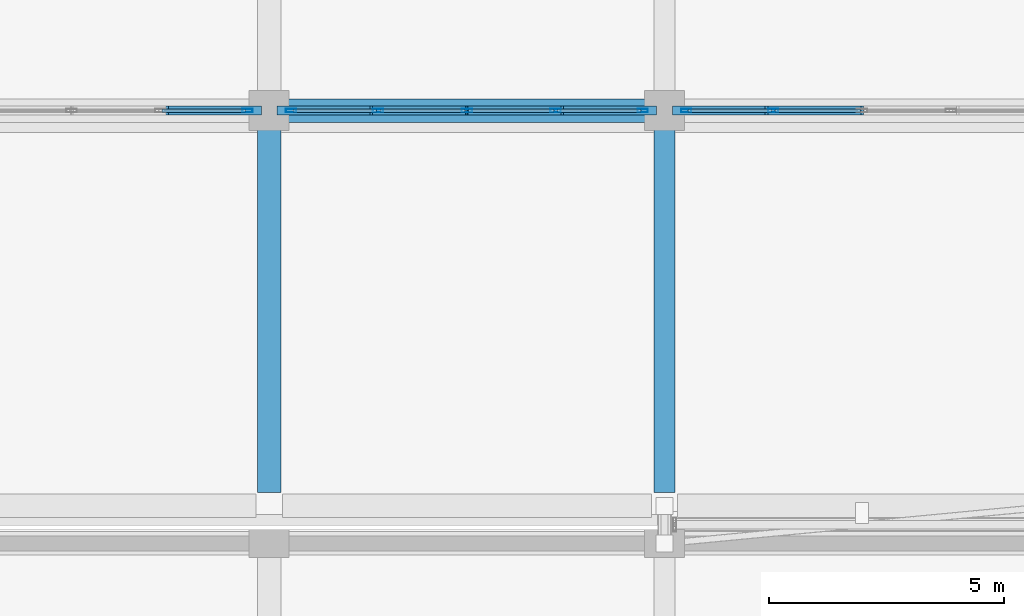
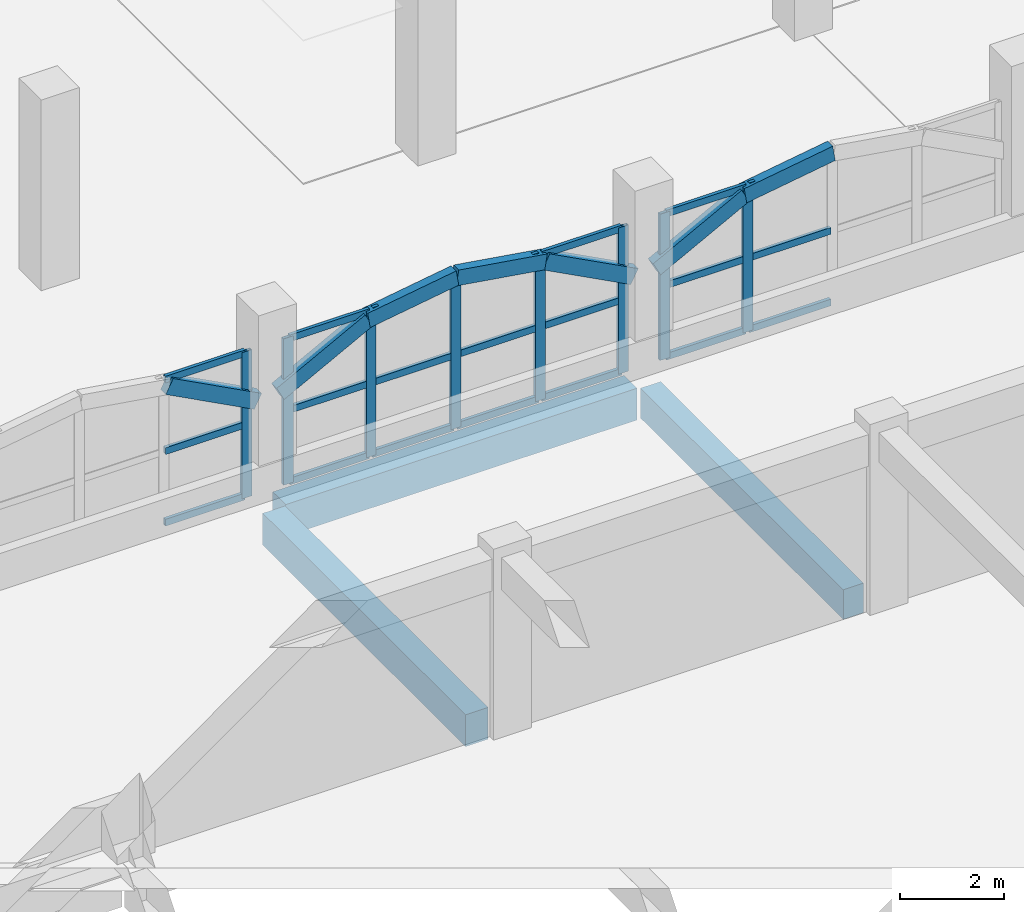
# One storey, part 17 of 129: 36 members, 3 beams, 3 elements without a shape of their own.
"""IFC4 building model written with IfcOpenShell, lengths in metres."""

from ifc_helpers import new_model, si_unit, direction, frame, origin, origin_2d, place, context, subcontext, project, spatial, rectangle, hollow_rectangle, extrude, material, layer, layer_set, material_profile, profile_set, type_object, element, aggregate, save


model = new_model("IFC4")

# Units and contexts
model_context = context("Model", 3, precision=1e-05, world=origin(), true_north=direction((0.0, 1.0)))
body_context = subcontext(model_context, "Body", "Model", "MODEL_VIEW")
ifc_project = project(units=[si_unit("LENGTHUNIT", "METRE"), si_unit("AREAUNIT", "SQUARE_METRE"), si_unit("VOLUMEUNIT", "CUBIC_METRE"), si_unit("PLANEANGLEUNIT", "RADIAN"), si_unit("MASSUNIT", "GRAM", prefix="KILO")], contexts=[model_context])

# Site, building, storey
site_placement = place(None, origin())
site = spatial("IfcSite", under=ifc_project, at=site_placement, CompositionType="ELEMENT")
building_placement = place(site_placement, origin())
building = spatial("IfcBuilding", under=site, at=building_placement, Name="Xazarin Passage Department Store", CompositionType="ELEMENT")
storey_placement = place(building_placement, frame((0.0, 0.0, 9.89990234375)))
storey = spatial("IfcBuildingStorey", under=building, at=storey_placement, Name="L02", CompositionType="ELEMENT", Elevation=9.89990234375)

# Curtain wall, member
ifc_material_1 = material(Name="Bronze anodised aluminium", Category="aluminium")
ifc_layer = layer(ifc_material_1, 0.199951171875)
ifc_layer_set = layer_set([ifc_layer], Name="Bronze anodised aluminium")
curtain_wall_type = type_object("IfcCurtainWallType", Name="ARC-CW-VIT2", PredefinedType="NOTDEFINED", material=ifc_layer_set)
curtain_wall_1_placement = place(storey_placement, origin())
curtain_wall_1 = element("IfcCurtainWall", 1, at=curtain_wall_1_placement, inside=storey, type_object=curtain_wall_type, Name="L02 V1 Curtain Wall 030", PredefinedType="NOTDEFINED")
ifc_material_profile_1 = material_profile(ifc_material_1, hollow_rectangle(XDim=0.074951171875, YDim=0.219970703125, WallThickness=0.0048828125, at=origin_2d()), Name="ALU 75x220")
ifc_profile_set_1 = profile_set([ifc_material_profile_1], Name="Bronze anodised aluminium")
member_type_1 = type_object("IfcMemberType", Name="ARC-CWM-75x220", PredefinedType="MULLION", material=ifc_profile_set_1)
member_1_placement = place(storey_placement, frame((16.33740234375, 59.60009765625, 0.0), z_axis=(0.0, 0.0, 1.0), x_axis=(0.0, 1.0, 0.0)))
member_1 = element("IfcMember", 2, at=member_1_placement, type_object=member_type_1, Name="CW2 mullion 5", PredefinedType="MULLION", context=body_context, shape_type="SweptSolid", body=[
    extrude(hollow_rectangle(XDim=0.074951171875, YDim=0.219970703125, WallThickness=0.0048828125, at=origin_2d()), origin(), (0.0, 0.0, 1.0), 3.4501953125),
])

# Curtain wall, members
curtain_wall_2_placement = place(storey_placement, origin())
curtain_wall_2 = element("IfcCurtainWall", 3, at=curtain_wall_2_placement, inside=storey, type_object=curtain_wall_type, Name="L02 V1 Curtain Wall 031", PredefinedType="NOTDEFINED")
member_2_placement = place(storey_placement, frame((17.262451171875, 59.60009765625, 0.0), z_axis=(0.0, 0.0, 1.0), x_axis=(0.0, 1.0, 0.0)))
member_2 = element("IfcMember", 4, at=member_2_placement, type_object=member_type_1, Name="CW2 mullion 1", PredefinedType="MULLION", context=body_context, shape_type="SweptSolid", body=[
    extrude(hollow_rectangle(XDim=0.074951171875, YDim=0.219970703125, WallThickness=0.0048828125, at=origin_2d()), origin(), (0.0, 0.0, 1.0), 3.4501953125),
])
member_3_placement = place(storey_placement, frame((19.112548828125, 59.60009765625, 0.0), z_axis=(0.0, 0.0, 1.0), x_axis=(0.0, 1.0, 0.0)))
member_3 = element("IfcMember", 5, at=member_3_placement, type_object=member_type_1, Name="CW2 mullion 2", PredefinedType="MULLION", context=body_context, shape_type="SweptSolid", body=[
    extrude(hollow_rectangle(XDim=0.074951171875, YDim=0.219970703125, WallThickness=0.0048828125, at=origin_2d()), origin(), (0.0, 0.0, 1.0), 3.4501953125),
])
member_4_placement = place(storey_placement, frame((21.0, 59.60009765625, 0.0), z_axis=(0.0, 0.0, 1.0), x_axis=(0.0, 1.0, 0.0)))
member_4 = element("IfcMember", 6, at=member_4_placement, type_object=member_type_1, Name="CW2 mullion 3", PredefinedType="MULLION", context=body_context, shape_type="SweptSolid", body=[
    extrude(hollow_rectangle(XDim=0.074951171875, YDim=0.219970703125, WallThickness=0.0048828125, at=origin_2d()), origin(), (0.0, 0.0, 1.0), 3.4501953125),
])
member_5_placement = place(storey_placement, frame((22.887451171875, 59.60009765625, 0.0), z_axis=(0.0, 0.0, 1.0), x_axis=(0.0, 1.0, 0.0)))
member_5 = element("IfcMember", 7, at=member_5_placement, type_object=member_type_1, Name="CW2 mullion 4", PredefinedType="MULLION", context=body_context, shape_type="SweptSolid", body=[
    extrude(hollow_rectangle(XDim=0.074951171875, YDim=0.219970703125, WallThickness=0.0048828125, at=origin_2d()), origin(), (0.0, 0.0, 1.0), 3.4501953125),
])
member_6_placement = place(storey_placement, frame((24.737548828125, 59.60009765625, 0.0), z_axis=(0.0, 0.0, 1.0), x_axis=(0.0, 1.0, 0.0)))
member_6 = element("IfcMember", 8, at=member_6_placement, type_object=member_type_1, Name="CW2 mullion 5", PredefinedType="MULLION", context=body_context, shape_type="SweptSolid", body=[
    extrude(hollow_rectangle(XDim=0.074951171875, YDim=0.219970703125, WallThickness=0.0048828125, at=origin_2d()), origin(), (0.0, 0.0, 1.0), 3.4501953125),
])

curtain_wall_3_placement = place(storey_placement, origin())
curtain_wall_3 = element("IfcCurtainWall", 9, at=curtain_wall_3_placement, inside=storey, type_object=curtain_wall_type, Name="L02 V1 Curtain Wall 032", PredefinedType="NOTDEFINED")
member_7_placement = place(storey_placement, frame((25.66259765625, 59.60009765625, 0.0), z_axis=(0.0, 0.0, 1.0), x_axis=(0.0, 1.0, 0.0)))
member_7 = element("IfcMember", 10, at=member_7_placement, type_object=member_type_1, Name="CW2 mullion 1", PredefinedType="MULLION", context=body_context, shape_type="SweptSolid", body=[
    extrude(hollow_rectangle(XDim=0.074951171875, YDim=0.219970703125, WallThickness=0.0048828125, at=origin_2d()), origin(), (0.0, 0.0, 1.0), 3.4501953125),
])
member_8_placement = place(storey_placement, frame((27.512451171875, 59.60009765625, 0.0), z_axis=(0.0, 0.0, 1.0), x_axis=(0.0, 1.0, 0.0)))
member_8 = element("IfcMember", 11, at=member_8_placement, type_object=member_type_1, Name="CW2 mullion 2", PredefinedType="MULLION", context=body_context, shape_type="SweptSolid", body=[
    extrude(hollow_rectangle(XDim=0.074951171875, YDim=0.219970703125, WallThickness=0.0048828125, at=origin_2d()), origin(), (0.0, 0.0, 1.0), 3.4501953125),
])

# Member
ifc_material_profile_2 = material_profile(ifc_material_1, hollow_rectangle(XDim=0.074951171875, YDim=0.159912109375, WallThickness=0.00439453125, at=origin_2d()), Name="ALU 75x160")
ifc_profile_set_2 = profile_set([ifc_material_profile_2], Name="Bronze anodised aluminium")
member_type_2 = type_object("IfcMemberType", Name="ARC-CWT-75x160", PredefinedType="USERDEFINED", material=ifc_profile_set_2)
member_9_placement = place(storey_placement, frame((14.52490234375, 59.60009765625, 0.03759765625), z_axis=(1.0, 0.0, 0.0), x_axis=(0.0, 1.0, 0.0)))
member_9 = element("IfcMember", 12, at=member_9_placement, type_object=member_type_2, Name="CW2 transom 4.1", ObjectType="TRANSOM", PredefinedType="USERDEFINED", context=body_context, shape_type="SweptSolid", body=[
    extrude(hollow_rectangle(XDim=0.074951171875, YDim=0.159912109375, WallThickness=0.00439453125, at=origin_2d()), origin(), (0.0, 0.0, 1.0), 1.775146484375),
])

member_10_placement = place(storey_placement, frame((14.52490234375, 59.60009765625, 1.72509765625), z_axis=(1.0, 0.0, 0.0), x_axis=(0.0, 1.0, 0.0)))
member_10 = element("IfcMember", 13, at=member_10_placement, type_object=member_type_2, Name="CW2 transom 4.2", ObjectType="TRANSOM", PredefinedType="USERDEFINED", context=body_context, shape_type="SweptSolid", body=[
    extrude(hollow_rectangle(XDim=0.074951171875, YDim=0.159912109375, WallThickness=0.00439453125, at=origin_2d()), origin(), (0.0, 0.0, 1.0), 1.775146484375),
])

member_11_placement = place(storey_placement, frame((14.52490234375, 59.60009765625, 3.41259765625), z_axis=(1.0, 0.0, 0.0), x_axis=(0.0, 1.0, 0.0)))
member_11 = element("IfcMember", 14, at=member_11_placement, type_object=member_type_2, Name="CW2 transom 4.3", ObjectType="TRANSOM", PredefinedType="USERDEFINED", context=body_context, shape_type="SweptSolid", body=[
    extrude(hollow_rectangle(XDim=0.074951171875, YDim=0.159912109375, WallThickness=0.00439453125, at=origin_2d()), origin(), (0.0, 0.0, 1.0), 1.775146484375),
])

aggregate(curtain_wall_1, [member_1, member_9, member_10, member_11])

member_12_placement = place(storey_placement, frame((17.300048828125, 59.60009765625, 0.03759765625), z_axis=(1.0, 0.0, 0.0), x_axis=(0.0, 1.0, 0.0)))
member_12 = element("IfcMember", 15, at=member_12_placement, type_object=member_type_2, Name="CW2 transom 1.1", ObjectType="TRANSOM", PredefinedType="USERDEFINED", context=body_context, shape_type="SweptSolid", body=[
    extrude(hollow_rectangle(XDim=0.074951171875, YDim=0.159912109375, WallThickness=0.00439453125, at=origin_2d()), origin(), (0.0, 0.0, 1.0), 1.77490234375),
])

member_13_placement = place(storey_placement, frame((17.300048828125, 59.60009765625, 1.72509765625), z_axis=(1.0, 0.0, 0.0), x_axis=(0.0, 1.0, 0.0)))
member_13 = element("IfcMember", 16, at=member_13_placement, type_object=member_type_2, Name="CW2 transom 1.2", ObjectType="TRANSOM", PredefinedType="USERDEFINED", context=body_context, shape_type="SweptSolid", body=[
    extrude(hollow_rectangle(XDim=0.074951171875, YDim=0.159912109375, WallThickness=0.00439453125, at=origin_2d()), origin(), (0.0, 0.0, 1.0), 1.77490234375),
])

member_14_placement = place(storey_placement, frame((17.300048828125, 59.60009765625, 3.41259765625), z_axis=(1.0, 0.0, 0.0), x_axis=(0.0, 1.0, 0.0)))
member_14 = element("IfcMember", 17, at=member_14_placement, type_object=member_type_2, Name="CW2 transom 1.3", ObjectType="TRANSOM", PredefinedType="USERDEFINED", context=body_context, shape_type="SweptSolid", body=[
    extrude(hollow_rectangle(XDim=0.074951171875, YDim=0.159912109375, WallThickness=0.00439453125, at=origin_2d()), origin(), (0.0, 0.0, 1.0), 1.77490234375),
])

member_15_placement = place(storey_placement, frame((19.14990234375, 59.60009765625, 0.03759765625), z_axis=(1.0, 0.0, 0.0), x_axis=(0.0, 1.0, 0.0)))
member_15 = element("IfcMember", 18, at=member_15_placement, type_object=member_type_2, Name="CW2 transom 2.1", ObjectType="TRANSOM", PredefinedType="USERDEFINED", context=body_context, shape_type="SweptSolid", body=[
    extrude(hollow_rectangle(XDim=0.074951171875, YDim=0.159912109375, WallThickness=0.00439453125, at=origin_2d()), origin(), (0.0, 0.0, 1.0), 1.8125),
])

member_16_placement = place(storey_placement, frame((19.14990234375, 59.60009765625, 1.72509765625), z_axis=(1.0, 0.0, 0.0), x_axis=(0.0, 1.0, 0.0)))
member_16 = element("IfcMember", 19, at=member_16_placement, type_object=member_type_2, Name="CW2 transom 2.2", ObjectType="TRANSOM", PredefinedType="USERDEFINED", context=body_context, shape_type="SweptSolid", body=[
    extrude(hollow_rectangle(XDim=0.074951171875, YDim=0.159912109375, WallThickness=0.00439453125, at=origin_2d()), origin(), (0.0, 0.0, 1.0), 1.8125),
])

member_17_placement = place(storey_placement, frame((19.14990234375, 59.60009765625, 3.41259765625), z_axis=(1.0, 0.0, 0.0), x_axis=(0.0, 1.0, 0.0)))
member_17 = element("IfcMember", 20, at=member_17_placement, type_object=member_type_2, Name="CW2 transom 2.3", ObjectType="TRANSOM", PredefinedType="USERDEFINED", context=body_context, shape_type="SweptSolid", body=[
    extrude(hollow_rectangle(XDim=0.074951171875, YDim=0.159912109375, WallThickness=0.00439453125, at=origin_2d()), origin(), (0.0, 0.0, 1.0), 1.8125),
])

member_18_placement = place(storey_placement, frame((21.03759765625, 59.60009765625, 0.03759765625), z_axis=(1.0, 0.0, 0.0), x_axis=(0.0, 1.0, 0.0)))
member_18 = element("IfcMember", 21, at=member_18_placement, type_object=member_type_2, Name="CW2 transom 3.1", ObjectType="TRANSOM", PredefinedType="USERDEFINED", context=body_context, shape_type="SweptSolid", body=[
    extrude(hollow_rectangle(XDim=0.074951171875, YDim=0.159912109375, WallThickness=0.00439453125, at=origin_2d()), origin(), (0.0, 0.0, 1.0), 1.8125),
])

member_19_placement = place(storey_placement, frame((21.03759765625, 59.60009765625, 1.72509765625), z_axis=(1.0, 0.0, 0.0), x_axis=(0.0, 1.0, 0.0)))
member_19 = element("IfcMember", 22, at=member_19_placement, type_object=member_type_2, Name="CW2 transom 3.2", ObjectType="TRANSOM", PredefinedType="USERDEFINED", context=body_context, shape_type="SweptSolid", body=[
    extrude(hollow_rectangle(XDim=0.074951171875, YDim=0.159912109375, WallThickness=0.00439453125, at=origin_2d()), origin(), (0.0, 0.0, 1.0), 1.8125),
])

member_20_placement = place(storey_placement, frame((21.03759765625, 59.60009765625, 3.41259765625), z_axis=(1.0, 0.0, 0.0), x_axis=(0.0, 1.0, 0.0)))
member_20 = element("IfcMember", 23, at=member_20_placement, type_object=member_type_2, Name="CW2 transom 3.3", ObjectType="TRANSOM", PredefinedType="USERDEFINED", context=body_context, shape_type="SweptSolid", body=[
    extrude(hollow_rectangle(XDim=0.074951171875, YDim=0.159912109375, WallThickness=0.00439453125, at=origin_2d()), origin(), (0.0, 0.0, 1.0), 1.8125),
])

member_21_placement = place(storey_placement, frame((22.925048828125, 59.60009765625, 0.03759765625), z_axis=(1.0, 0.0, 0.0), x_axis=(0.0, 1.0, 0.0)))
member_21 = element("IfcMember", 24, at=member_21_placement, type_object=member_type_2, Name="CW2 transom 4.1", ObjectType="TRANSOM", PredefinedType="USERDEFINED", context=body_context, shape_type="SweptSolid", body=[
    extrude(hollow_rectangle(XDim=0.074951171875, YDim=0.159912109375, WallThickness=0.00439453125, at=origin_2d()), origin(), (0.0, 0.0, 1.0), 1.77490234375),
])

member_22_placement = place(storey_placement, frame((22.925048828125, 59.60009765625, 1.72509765625), z_axis=(1.0, 0.0, 0.0), x_axis=(0.0, 1.0, 0.0)))
member_22 = element("IfcMember", 25, at=member_22_placement, type_object=member_type_2, Name="CW2 transom 4.2", ObjectType="TRANSOM", PredefinedType="USERDEFINED", context=body_context, shape_type="SweptSolid", body=[
    extrude(hollow_rectangle(XDim=0.074951171875, YDim=0.159912109375, WallThickness=0.00439453125, at=origin_2d()), origin(), (0.0, 0.0, 1.0), 1.77490234375),
])

member_23_placement = place(storey_placement, frame((22.925048828125, 59.60009765625, 3.41259765625), z_axis=(1.0, 0.0, 0.0), x_axis=(0.0, 1.0, 0.0)))
member_23 = element("IfcMember", 26, at=member_23_placement, type_object=member_type_2, Name="CW2 transom 4.3", ObjectType="TRANSOM", PredefinedType="USERDEFINED", context=body_context, shape_type="SweptSolid", body=[
    extrude(hollow_rectangle(XDim=0.074951171875, YDim=0.159912109375, WallThickness=0.00439453125, at=origin_2d()), origin(), (0.0, 0.0, 1.0), 1.77490234375),
])

aggregate(curtain_wall_2, [member_2, member_3, member_4, member_5, member_6, member_12, member_13, member_14, member_15, member_16, member_17, member_18, member_19, member_20, member_21, member_22, member_23])

member_24_placement = place(storey_placement, frame((25.699951171875, 59.60009765625, 0.03759765625), z_axis=(1.0, 0.0, 0.0), x_axis=(0.0, 1.0, 0.0)))
member_24 = element("IfcMember", 27, at=member_24_placement, type_object=member_type_2, Name="CW2 transom 1.1", ObjectType="TRANSOM", PredefinedType="USERDEFINED", context=body_context, shape_type="SweptSolid", body=[
    extrude(hollow_rectangle(XDim=0.074951171875, YDim=0.159912109375, WallThickness=0.00439453125, at=origin_2d()), origin(), (0.0, 0.0, 1.0), 1.775146484375),
])

member_25_placement = place(storey_placement, frame((25.699951171875, 59.60009765625, 1.72509765625), z_axis=(1.0, 0.0, 0.0), x_axis=(0.0, 1.0, 0.0)))
member_25 = element("IfcMember", 28, at=member_25_placement, type_object=member_type_2, Name="CW2 transom 1.2", ObjectType="TRANSOM", PredefinedType="USERDEFINED", context=body_context, shape_type="SweptSolid", body=[
    extrude(hollow_rectangle(XDim=0.074951171875, YDim=0.159912109375, WallThickness=0.00439453125, at=origin_2d()), origin(), (0.0, 0.0, 1.0), 1.775146484375),
])

member_26_placement = place(storey_placement, frame((25.699951171875, 59.60009765625, 3.41259765625), z_axis=(1.0, 0.0, 0.0), x_axis=(0.0, 1.0, 0.0)))
member_26 = element("IfcMember", 29, at=member_26_placement, type_object=member_type_2, Name="CW2 transom 1.3", ObjectType="TRANSOM", PredefinedType="USERDEFINED", context=body_context, shape_type="SweptSolid", body=[
    extrude(hollow_rectangle(XDim=0.074951171875, YDim=0.159912109375, WallThickness=0.00439453125, at=origin_2d()), origin(), (0.0, 0.0, 1.0), 1.775146484375),
])

member_27_placement = place(storey_placement, frame((27.550048828125, 59.60009765625, 0.03759765625), z_axis=(1.0, 0.0, 0.0), x_axis=(0.0, 1.0, 0.0)))
member_27 = element("IfcMember", 30, at=member_27_placement, type_object=member_type_2, Name="CW2 transom 2.1", ObjectType="TRANSOM", PredefinedType="USERDEFINED", context=body_context, shape_type="SweptSolid", body=[
    extrude(hollow_rectangle(XDim=0.074951171875, YDim=0.159912109375, WallThickness=0.00439453125, at=origin_2d()), origin(), (0.0, 0.0, 1.0), 1.8125),
])

member_28_placement = place(storey_placement, frame((27.550048828125, 59.60009765625, 1.72509765625), z_axis=(1.0, 0.0, 0.0), x_axis=(0.0, 1.0, 0.0)))
member_28 = element("IfcMember", 31, at=member_28_placement, type_object=member_type_2, Name="CW2 transom 2.2", ObjectType="TRANSOM", PredefinedType="USERDEFINED", context=body_context, shape_type="SweptSolid", body=[
    extrude(hollow_rectangle(XDim=0.074951171875, YDim=0.159912109375, WallThickness=0.00439453125, at=origin_2d()), origin(), (0.0, 0.0, 1.0), 1.8125),
])

member_29_placement = place(storey_placement, frame((27.550048828125, 59.60009765625, 3.41259765625), z_axis=(1.0, 0.0, 0.0), x_axis=(0.0, 1.0, 0.0)))
member_29 = element("IfcMember", 32, at=member_29_placement, type_object=member_type_2, Name="CW2 transom 2.3", ObjectType="TRANSOM", PredefinedType="USERDEFINED", context=body_context, shape_type="SweptSolid", body=[
    extrude(hollow_rectangle(XDim=0.074951171875, YDim=0.159912109375, WallThickness=0.00439453125, at=origin_2d()), origin(), (0.0, 0.0, 1.0), 1.8125),
])

aggregate(curtain_wall_3, [member_7, member_8, member_24, member_25, member_26, member_27, member_28, member_29])

# Beams
ifc_material_2 = material(Name="Concrete C35/45", Category="concrete")
ifc_material_profile_3 = material_profile(ifc_material_2, rectangle(XDim=0.449951171875, YDim=0.699951171875, at=origin_2d()), Name="RC 450x700")
ifc_profile_set_3 = profile_set([ifc_material_profile_3], Name="Concrete C35/45")
beam_type_1 = type_object("IfcBeamType", Name="STR-BM-G450x700", PredefinedType="BEAM", material=ifc_profile_set_3)
beam_1_placement = place(storey_placement, frame((25.199951171875, 51.47998046875, -0.64990234375), z_axis=(0.0, 1.0, 0.0), x_axis=(-1.0, 0.0, 0.0)))
element("IfcBeam", 33, at=beam_1_placement, inside=storey, type_object=beam_type_1, Name="L02 Grid Beam 4/H-J", PredefinedType="BEAM", context=body_context, shape_type="SweptSolid", body=[
    extrude(rectangle(XDim=0.449951171875, YDim=0.699951171875, at=origin_2d()), origin(), (0.0, 0.0, 1.0), 7.840087890625),
])
ifc_material_profile_4 = material_profile(ifc_material_2, rectangle(XDim=0.5, YDim=0.75, at=origin_2d()), Name="RC 500x750")
ifc_profile_set_4 = profile_set([ifc_material_profile_4], Name="Concrete C35/45")
beam_type_2 = type_object("IfcBeamType", Name="STR-BM-SP500x750", PredefinedType="SPANDREL", material=ifc_profile_set_4)
beam_2_placement = place(storey_placement, frame((17.080078125, 59.60009765625, -0.6748046875), z_axis=(1.0, 0.0, 0.0), x_axis=(0.0, 1.0, 0.0)))
element("IfcBeam", 34, at=beam_2_placement, inside=storey, type_object=beam_type_2, Name="L02 Grid Beam J/3-4", PredefinedType="SPANDREL", context=body_context, shape_type="SweptSolid", body=[
    extrude(rectangle(XDim=0.5, YDim=0.75, at=origin_2d()), origin(), (0.0, 0.0, 1.0), 7.83984375),
])
beam_3_placement = place(storey_placement, frame((16.800048828125, 51.47998046875, -0.6748046875), z_axis=(0.0, 1.0, 0.0), x_axis=(-1.0, 0.0, 0.0)))
element("IfcBeam", 35, at=beam_3_placement, inside=storey, type_object=beam_type_2, Name="L02 Grid Beam 3/H-J", PredefinedType="SPANDREL", context=body_context, shape_type="SweptSolid", body=[
    extrude(rectangle(XDim=0.5, YDim=0.75, at=origin_2d()), origin(), (0.0, 0.0, 1.0), 7.840087890625),
])

# Members
ifc_material_3 = material(Name="Concrete C40/50", Category="concrete")
ifc_material_profile_5 = material_profile(ifc_material_3, rectangle(XDim=0.199951171875, YDim=0.360107421875, at=origin_2d()), Name="RC 200x360")
ifc_profile_set_5 = profile_set([ifc_material_profile_5], Name="Concrete C40/50")
member_type_3 = type_object("IfcMemberType", Name="STR-MEM-ARC360", PredefinedType="CHORD", material=ifc_profile_set_5)
member_30_placement = place(storey_placement, frame((14.574951171875, 59.60009765625, 3.2705078125), z_axis=(0.88473311603, 0.0, -0.466097965454), x_axis=(0.0, 1.0, 0.0)))
element("IfcMember", 36, at=member_30_placement, inside=storey, type_object=member_type_3, Name="L02 V1 Upper Setback Pierced Arch 004.4", PredefinedType="CHORD", context=body_context, shape_type="SweptSolid", body=[
    extrude(rectangle(XDim=0.199951171875, YDim=0.360107421875, at=origin_2d()), origin(), (0.0, 0.0, 1.0), 2.232421875),
])
member_31_placement = place(storey_placement, frame((17.050048828125, 59.60009765625, 2.22998046875), z_axis=(0.884709354127, 0.0, 0.466143066793), x_axis=(0.0, 1.0, 0.0)))
element("IfcMember", 37, at=member_31_placement, inside=storey, type_object=member_type_3, Name="L02 V1 Upper Setback Pierced Arch 005.1", PredefinedType="CHORD", context=body_context, shape_type="SweptSolid", body=[
    extrude(rectangle(XDim=0.199951171875, YDim=0.360107421875, at=origin_2d()), origin(), (0.0, 0.0, 1.0), 2.232177734375),
])
for number, where, z_axis, x_axis, name in (
    (38, (19.02490234375, 59.60009765625, 3.2705078125), (0.987938581312, 0.0, 0.154846244883), (0.0, 1.0, 0.0), "L02 V1 Upper Setback Pierced Arch 005.2"),
    (39, (21.0, 59.60009765625, 3.580078125), (0.987938581312, 0.0, -0.154846244883), (0.0, 1.0, 0.0), "L02 V1 Upper Setback Pierced Arch 005.3"),
):
    element("IfcMember", number, at=place(storey_placement, frame(where, z_axis=z_axis, x_axis=x_axis)), inside=storey, type_object=member_type_3, Name=name, PredefinedType="CHORD", context=body_context, shape_type="SweptSolid", body=[
        extrude(rectangle(XDim=0.199951171875, YDim=0.360107421875, at=origin_2d()), origin(), (0.0, 0.0, 1.0), 1.999267578125),
    ])
member_32_placement = place(storey_placement, frame((22.97509765625, 59.60009765625, 3.2705078125), z_axis=(0.884709354127, 0.0, -0.466143066793), x_axis=(0.0, 1.0, 0.0)))
element("IfcMember", 40, at=member_32_placement, inside=storey, type_object=member_type_3, Name="L02 V1 Upper Setback Pierced Arch 005.4", PredefinedType="CHORD", context=body_context, shape_type="SweptSolid", body=[
    extrude(rectangle(XDim=0.199951171875, YDim=0.360107421875, at=origin_2d()), origin(), (0.0, 0.0, 1.0), 2.232177734375),
])
member_33_placement = place(storey_placement, frame((25.449951171875, 59.60009765625, 2.22998046875), z_axis=(0.88473311603, 0.0, 0.466097965454), x_axis=(0.0, 1.0, 0.0)))
element("IfcMember", 41, at=member_33_placement, inside=storey, type_object=member_type_3, Name="L02 V1 Upper Setback Pierced Arch 006.1", PredefinedType="CHORD", context=body_context, shape_type="SweptSolid", body=[
    extrude(rectangle(XDim=0.199951171875, YDim=0.360107421875, at=origin_2d()), origin(), (0.0, 0.0, 1.0), 2.232421875),
])
member_34_placement = place(storey_placement, frame((27.425048828125, 59.60009765625, 3.2705078125), z_axis=(0.987935652704, 0.0, 0.154864928623), x_axis=(0.0, 1.0, 0.0)))
element("IfcMember", 42, at=member_34_placement, inside=storey, type_object=member_type_3, Name="L02 V1 Upper Setback Pierced Arch 006.2", PredefinedType="CHORD", context=body_context, shape_type="SweptSolid", body=[
    extrude(rectangle(XDim=0.199951171875, YDim=0.360107421875, at=origin_2d()), origin(), (0.0, 0.0, 1.0), 1.9990234375),
])

save(model, "model.ifc")
